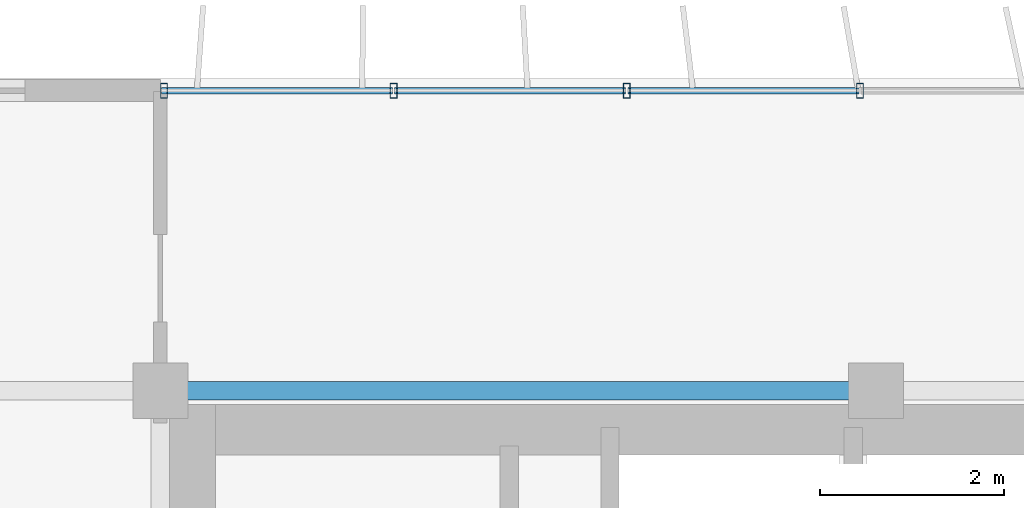
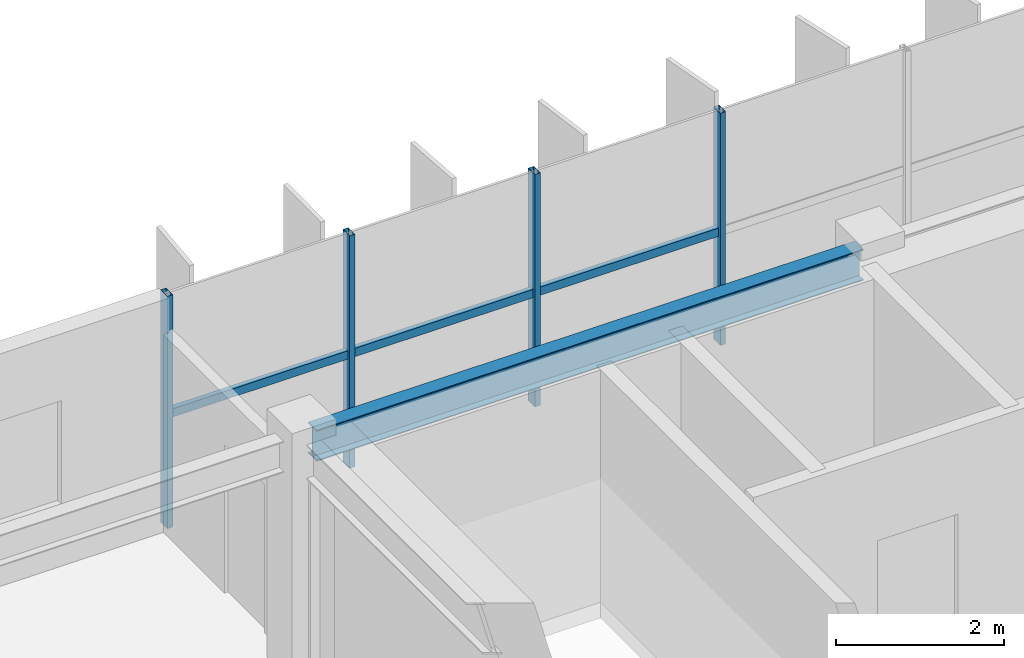
# One storey, part 6 of 22: 7 members, 1 beam, 1 element without a shape of its own.
"""IFC4 building model written with IfcOpenShell, lengths in metres."""

import ifcopenshell
import ifcopenshell.guid

model = None  # the IFC model being written
_history = None  # IfcOwnerHistory: only IFC2X3 demands one
_inside = {}  # id of a spatial element -> (the spatial element, [elements in it])
_under = {}  # id of a project, library or spatial element -> (it, [spatial elements below it])
_declared = {}  # id of a project -> (the project, [libraries it declares])
_typed = {}  # id of a type object -> (the type object, [elements of that type])
_made_of = {}  # id of a material, layer set ... -> (it, [elements and type objects made of it])


def new_model(schema):
    """Start an empty IFC model of exactly this schema.

    Asked for "IFC4X3", IfcOpenShell would pick the latest addendum, in which some entities
    have other attributes; the version numbers below select the first issue.
    IFC2X3 requires an IfcOwnerHistory on every rooted entity: one is made here for all.
    """
    global model, _history
    if schema == "IFC4X3":
        model = ifcopenshell.file(schema_version=(4, 3, 0, 0))
    else:
        model = ifcopenshell.file(schema=schema)
    _inside.clear()
    _under.clear()
    _declared.clear()
    _typed.clear()
    _made_of.clear()
    _history = None
    if model.schema == "IFC2X3":
        org = make("IfcOrganization", Name="unknown")
        user = make(
            "IfcPersonAndOrganization",
            ThePerson=make("IfcPerson", FamilyName="unknown"),
            TheOrganization=org,
        )
        app = make(
            "IfcApplication",
            ApplicationDeveloper=org,
            Version="unknown",
            ApplicationFullName="unknown",
            ApplicationIdentifier="unknown",
        )
        _history = make(
            "IfcOwnerHistory",
            OwningUser=user,
            OwningApplication=app,
            ChangeAction="ADDED",
            CreationDate=0,
        )
    return model


def make(cls, **values):
    """One entity of the class cls with the attributes given. An attribute that is None is left unset."""
    return model.create_entity(
        cls, **{name: value for name, value in values.items() if value is not None}
    )


def rooted(cls, **values):
    """An entity with a GlobalId (a new one), such as an element, a storey or a relation."""
    return make(cls, GlobalId=ifcopenshell.guid.new(), OwnerHistory=_history, **values)


def si_unit(unit_type, name, prefix=None):
    """IfcSIUnit, for example si_unit("LENGTHUNIT", "METRE", prefix="MILLI")."""
    return make("IfcSIUnit", UnitType=unit_type, Prefix=prefix, Name=name)


def assignment(units):
    """IfcUnitAssignment: the units of a project."""
    return None if units is None else make("IfcUnitAssignment", Units=units)


def point(xyz):
    """IfcCartesianPoint."""
    return None if xyz is None else make("IfcCartesianPoint", Coordinates=xyz)


def direction(xyz):
    """IfcDirection."""
    return None if xyz is None else make("IfcDirection", DirectionRatios=xyz)


def frame(location, z_axis=None, x_axis=None):
    """IfcAxis2Placement3D, a coordinate frame: its origin and axes. An axis left out is left unset."""
    return make(
        "IfcAxis2Placement3D",
        Location=point(location),
        Axis=direction(z_axis),
        RefDirection=direction(x_axis),
    )


def frame_2d(location, x_axis=None):
    """IfcAxis2Placement2D, a coordinate frame in the plane: its origin and x axis."""
    return make(
        "IfcAxis2Placement2D", Location=point(location), RefDirection=direction(x_axis)
    )


def origin():
    """The frame at (0, 0, 0) with its axes left unset."""
    return frame((0.0, 0.0, 0.0))


def origin_2d():
    """The frame at (0, 0) in the plane with its x axis left unset."""
    return frame_2d((0.0, 0.0))


def place(relative_to, where):
    """IfcLocalPlacement: puts the frame where relative to a parent placement (None: the world)."""
    return make(
        "IfcLocalPlacement", PlacementRelTo=relative_to, RelativePlacement=where
    )


def context(
    kind, dimensions, precision=None, world=None, true_north=None, identifier=None
):
    """IfcGeometricRepresentationContext, for example the 3D "Model" context."""
    return make(
        "IfcGeometricRepresentationContext",
        ContextIdentifier=identifier,
        ContextType=kind,
        CoordinateSpaceDimension=dimensions,
        Precision=precision,
        WorldCoordinateSystem=world,
        TrueNorth=true_north,
    )


def subcontext(parent, identifier, kind, view, scale=None):
    """IfcGeometricRepresentationSubContext, for example "Body" below "Model"."""
    return make(
        "IfcGeometricRepresentationSubContext",
        ContextIdentifier=identifier,
        ContextType=kind,
        ParentContext=parent,
        TargetScale=scale,
        TargetView=view,
    )


def project(units=None, contexts=None):
    """IfcProject with its units and contexts."""
    return rooted(
        "IfcProject",
        Name="project",
        RepresentationContexts=contexts,
        UnitsInContext=assignment(units),
    )


def spatial(cls, under=None, at=None, **own):
    """A site, building, storey or space (cls), placed at a placement, below another one or the project."""
    s = rooted(cls, ObjectPlacement=at, **own)
    if under is not None:
        _under.setdefault(under.id(), (under, []))[1].append(s)
    return s


def profile(cls, at=None, kind="AREA", **sizes):
    """A parametric profile (cls). Its sizes go by their IFC names, for example OverallWidth=200.0."""
    return make(cls, ProfileType=kind, Position=at, **sizes)


def hollow_rectangle(**sizes):
    """IfcRectangleHollowProfileDef."""
    return profile("IfcRectangleHollowProfileDef", **sizes)


def i_section(**sizes):
    """IfcIShapeProfileDef."""
    return profile("IfcIShapeProfileDef", **sizes)


def extrude(swept, where, along, depth):
    """IfcExtrudedAreaSolid: the profile swept, set in the frame where, extruded along a direction by depth."""
    return make(
        "IfcExtrudedAreaSolid",
        SweptArea=swept,
        Position=where,
        ExtrudedDirection=direction(along),
        Depth=depth,
    )


def shape(context_of_items, identifier, shape_type, items):
    """IfcShapeRepresentation: the items that make up one representation, for example the "Body"."""
    return make(
        "IfcShapeRepresentation",
        ContextOfItems=context_of_items,
        RepresentationIdentifier=identifier,
        RepresentationType=shape_type,
        Items=items,
    )


def source(mapping_origin, context_of_items, identifier, shape_type, items):
    """IfcRepresentationMap: a shape defined once, which mapped items show again and again."""
    return make(
        "IfcRepresentationMap",
        MappingOrigin=mapping_origin,
        MappedRepresentation=shape(context_of_items, identifier, shape_type, items),
    )


def transform(
    local_origin,
    x_axis=None,
    y_axis=None,
    z_axis=None,
    scale=None,
    scale2=None,
    scale3=None,
    uniform=True,
):
    """IfcCartesianTransformationOperator3D, or its non-uniform kind. x_axis, y_axis, z_axis: its Axis1, 2, 3."""
    if uniform:
        return make(
            "IfcCartesianTransformationOperator3D",
            Axis1=direction(x_axis),
            Axis2=direction(y_axis),
            LocalOrigin=point(local_origin),
            Scale=scale,
            Axis3=direction(z_axis),
        )
    return make(
        "IfcCartesianTransformationOperator3DnonUniform",
        Axis1=direction(x_axis),
        Axis2=direction(y_axis),
        LocalOrigin=point(local_origin),
        Scale=scale,
        Axis3=direction(z_axis),
        Scale2=scale2,
        Scale3=scale3,
    )


def mapped(mapping_source, mapping_target):
    """IfcMappedItem: shows the shape of a source again, moved by a transform."""
    return make(
        "IfcMappedItem", MappingSource=mapping_source, MappingTarget=mapping_target
    )


def material(Name=None, Category=None):
    """IfcMaterial."""
    return make("IfcMaterial", Name=Name, Category=Category)


def material_profile(
    of_material, cross_section, Name=None, Category=None, Priority=None
):
    """IfcMaterialProfile: a cross section and its material."""
    return make(
        "IfcMaterialProfile",
        Name=Name,
        Material=of_material,
        Profile=cross_section,
        Priority=Priority,
        Category=Category,
    )


def profile_set(profiles, Name=None, composite=None):
    """IfcMaterialProfileSet."""
    return make(
        "IfcMaterialProfileSet",
        Name=Name,
        MaterialProfiles=profiles,
        CompositeProfile=composite,
    )


def made_of(thing, what):
    """Note that an element or type object is made of a material, layer set ...; save() writes the relation."""
    if what is not None:
        _made_of.setdefault(what.id(), (what, []))[1].append(thing)
    return thing


def type_object(cls, material=None, **own):
    """A type object (cls), such as IfcWallType, which elements share."""
    return made_of(rooted(cls, **own), material)


def element(
    cls,
    number,
    at=None,
    inside=None,
    cuts=None,
    type_object=None,
    material=None,
    context=None,
    identifier="Body",
    shape_type=None,
    held_by="IfcProductDefinitionShape",
    body=None,
    shapes=None,
    **own,
):
    """One element of the class cls, such as IfcWall. Its Tag is "e" and its number.

    at: its placement. inside: the storey or other place that contains it. cuts: it is an
    opening in that element (IfcRelVoidsElement). A single representation is given by context,
    identifier, shape_type and body (its items); several are given by shapes. held_by: the class
    of the entity that holds the representations. save() writes the other relations.
    """
    e = rooted(cls, Tag="e%d" % number, ObjectPlacement=at, **own)
    if body is not None:
        shapes = [shape(context, identifier, shape_type, body)]
    if shapes is not None:
        e.Representation = make(held_by, Representations=shapes)
    if inside is not None:
        _inside.setdefault(inside.id(), (inside, []))[1].append(e)
    if cuts is not None:
        rooted(
            "IfcRelVoidsElement", RelatingBuildingElement=cuts, RelatedOpeningElement=e
        )
    if type_object is not None:
        _typed.setdefault(type_object.id(), (type_object, []))[1].append(e)
    return made_of(e, material)


def aggregate(whole, parts):
    """IfcRelAggregates: a whole, such as a stair, and the parts it consists of."""
    return rooted("IfcRelAggregates", RelatingObject=whole, RelatedObjects=parts)


def save(model, path):
    """Write the relations noted so far, then the file.

    IfcRelAggregates (storeys below a building ...), IfcRelContainedInSpatialStructure (elements
    in a storey), IfcRelDefinesByType, IfcRelAssociatesMaterial and IfcRelDeclares: one each for
    every whole, place, type object, material and project.
    """
    for whole, parts in _under.values():
        aggregate(whole, parts)
    for where, things in _inside.values():
        rooted(
            "IfcRelContainedInSpatialStructure",
            RelatedElements=things,
            RelatingStructure=where,
        )
    for kind, things in _typed.values():
        rooted("IfcRelDefinesByType", RelatedObjects=things, RelatingType=kind)
    for what, things in _made_of.values():
        rooted("IfcRelAssociatesMaterial", RelatedObjects=things, RelatingMaterial=what)
    for by, libraries in _declared.values():
        rooted("IfcRelDeclares", RelatingContext=by, RelatedDefinitions=libraries)
    model.write(path)


model = new_model("IFC4")

# Units and contexts
model_context = context("Model", 3, precision=1e-05, world=origin(), true_north=direction((0.0, 1.0)))
body_context = subcontext(model_context, "Body", "Model", "MODEL_VIEW")
ifc_project = project(units=[si_unit("LENGTHUNIT", "METRE"), si_unit("AREAUNIT", "SQUARE_METRE"), si_unit("VOLUMEUNIT", "CUBIC_METRE"), si_unit("PLANEANGLEUNIT", "RADIAN"), si_unit("MASSUNIT", "GRAM", prefix="KILO")], contexts=[model_context])

# Site, building, storey
site_placement = place(None, origin())
site = spatial("IfcSite", under=ifc_project, at=site_placement, CompositionType="ELEMENT")
building_placement = place(site_placement, origin())
building = spatial("IfcBuilding", under=site, at=building_placement, Name="Trelvane Seafront Commons", CompositionType="ELEMENT")
storey_placement = place(building_placement, frame((0.0, 0.0, 288.300048828125)))
storey = spatial("IfcBuildingStorey", under=building, at=storey_placement, Name="L75", CompositionType="ELEMENT", Elevation=288.300048828125)

# Beam
ifc_material_1 = material(Name="Steel SM355 (S355)", Category="steel")
ifc_material_profile_1 = material_profile(ifc_material_1, i_section(OverallWidth=0.199951171875, OverallDepth=0.449951171875, WebThickness=0.009033203125, FlangeThickness=0.013916015625, at=origin_2d()), Name="H-450x200x9x14")
ifc_profile_set_1 = profile_set([ifc_material_profile_1], Name="Steel SM355 (S355)")
beam_type = type_object("IfcBeamType", Name="STR-SPD-H450", PredefinedType="SPANDREL", material=ifc_profile_set_1)
shared_shape_1 = source(origin(), body_context, "Body", "SweptSolid", [
    extrude(i_section(OverallWidth=0.199951171875, OverallDepth=0.449951171875, WebThickness=0.009033203125, FlangeThickness=0.013916015625, at=origin_2d()), origin(), (0.0, 0.0, 1.0), 7.5),
])
beam_placement = place(storey_placement, frame((15.75, 45.10009765625, 3.14501953125), z_axis=(1.0, 0.0, 0.0), x_axis=(0.0, 1.0, 0.0)))
element("IfcBeam", 1, at=beam_placement, inside=storey, type_object=beam_type, Name="L75 Primary Girder G-23", PredefinedType="SPANDREL", context=body_context, shape_type="MappedRepresentation", body=[
    mapped(shared_shape_1, transform((0.0, 0.0, 0.0), x_axis=(1.0, 0.0, 0.0), y_axis=(0.0, 1.0, 0.0), z_axis=(0.0, 0.0, 1.0), scale=1.0)),
])

# Curtain wall, members
ifc_material_2 = material(Name="Anodised pale-silver aluminium", Category="aluminium")
curtain_wall_type = type_object("IfcCurtainWallType", Name="ARCH-CW5-UPTOWER", PredefinedType="NOTDEFINED", material=ifc_material_2)
curtain_wall_placement = place(storey_placement, origin())
curtain_wall = element("IfcCurtainWall", 2, at=curtain_wall_placement, inside=storey, type_object=curtain_wall_type, Name="CW-L75-0119", PredefinedType="NOTDEFINED")
ifc_material_profile_2 = material_profile(ifc_material_2, hollow_rectangle(XDim=0.070068359375, YDim=0.1201171875, WallThickness=0.00390625, at=origin_2d()), Name="TRAN-70x120x4")
ifc_profile_set_2 = profile_set([ifc_material_profile_2], Name="Anodised pale-silver aluminium")
member_type_1 = type_object("IfcMemberType", Name="ARCH-CW-TRAN-120", PredefinedType="USERDEFINED", material=ifc_profile_set_2)
shared_shape_2 = source(origin(), body_context, "Body", "SweptSolid", [
    extrude(hollow_rectangle(XDim=0.070068359375, YDim=0.1201171875, WallThickness=0.00390625, at=origin_2d()), origin(), (0.0, 0.0, 1.0), 2.51708984375),
])
member_1_placement = place(storey_placement, frame((15.612060546875, 48.3701171875, 1.617919921875), z_axis=(1.0, 0.0, 0.0), x_axis=(0.0, 1.0, 0.0)))
member_1 = element("IfcMember", 3, at=member_1_placement, type_object=member_type_1, Name="CW-L75-0119-T00", ObjectType="TRANSOM", PredefinedType="USERDEFINED", context=body_context, shape_type="MappedRepresentation", body=[
    mapped(shared_shape_2, transform((0.0, 0.0, 0.0), x_axis=(1.0, 0.0, 0.0), y_axis=(0.0, 1.0, 0.0), z_axis=(0.0, 0.0, 1.0), scale=1.0)),
])
member_2_placement = place(storey_placement, frame((18.1533203125, 48.3701171875, 1.617919921875), z_axis=(1.0, 0.0, 0.0), x_axis=(0.0, 1.0, 0.0)))
member_2 = element("IfcMember", 4, at=member_2_placement, type_object=member_type_1, Name="CW-L75-0119-T01", ObjectType="TRANSOM", PredefinedType="USERDEFINED", context=body_context, shape_type="MappedRepresentation", body=[
    mapped(shared_shape_2, transform((0.0, 0.0, 0.0), x_axis=(1.0, 0.0, 0.0), y_axis=(0.0, 1.0, 0.0), z_axis=(0.0, 0.0, 1.0), scale=1.0)),
])
member_3_placement = place(storey_placement, frame((20.6943359375, 48.3701171875, 1.617919921875), z_axis=(1.0, 0.0, 0.0), x_axis=(0.0, 1.0, 0.0)))
member_3 = element("IfcMember", 5, at=member_3_placement, type_object=member_type_1, Name="CW-L75-0119-T02", ObjectType="TRANSOM", PredefinedType="USERDEFINED", context=body_context, shape_type="MappedRepresentation", body=[
    mapped(shared_shape_2, transform((0.0, 0.0, 0.0), x_axis=(1.0, 0.0, 0.0), y_axis=(0.0, 1.0, 0.0), z_axis=(0.0, 0.0, 1.0), scale=1.0)),
])
ifc_material_profile_3 = material_profile(ifc_material_2, hollow_rectangle(XDim=0.074951171875, YDim=0.159912109375, WallThickness=0.00390625, at=origin_2d()), Name="MULL-75x160x4")
ifc_profile_set_3 = profile_set([ifc_material_profile_3], Name="Anodised pale-silver aluminium")
member_type_2 = type_object("IfcMemberType", Name="ARCH-CW-MULL-160", PredefinedType="MULLION", material=ifc_profile_set_3)
shared_shape_3 = source(origin(), body_context, "Body", "SweptSolid", [
    extrude(hollow_rectangle(XDim=0.074951171875, YDim=0.159912109375, WallThickness=0.00390625, at=origin_2d()), origin(), (0.0, 0.0, 1.0), 3.369873046875),
])
member_4_placement = place(storey_placement, frame((15.639892578125, 48.3701171875, 0.0), z_axis=(0.0, 0.0, 1.0), x_axis=(1.0, 0.0, 0.0)))
member_4 = element("IfcMember", 6, at=member_4_placement, type_object=member_type_2, Name="CW-L75-0119-M00", PredefinedType="MULLION", context=body_context, shape_type="MappedRepresentation", body=[
    mapped(shared_shape_3, transform((0.0, 0.0, 0.0), x_axis=(1.0, 0.0, 0.0), y_axis=(0.0, 1.0, 0.0), z_axis=(0.0, 0.0, 1.0), scale=1.0)),
])
member_5_placement = place(storey_placement, frame((18.14111328125, 48.3701171875, 0.0), z_axis=(0.0, 0.0, 1.0), x_axis=(1.0, 0.0, 0.0)))
member_5 = element("IfcMember", 7, at=member_5_placement, type_object=member_type_2, Name="CW-L75-0119-M01", PredefinedType="MULLION", context=body_context, shape_type="MappedRepresentation", body=[
    mapped(shared_shape_3, transform((0.0, 0.0, 0.0), x_axis=(1.0, 0.0, 0.0), y_axis=(0.0, 1.0, 0.0), z_axis=(0.0, 0.0, 1.0), scale=1.0)),
])
member_6_placement = place(storey_placement, frame((20.682373046875, 48.3701171875, 0.0), z_axis=(0.0, 0.0, 1.0), x_axis=(1.0, 0.0, 0.0)))
member_6 = element("IfcMember", 8, at=member_6_placement, type_object=member_type_2, Name="CW-L75-0119-M02", PredefinedType="MULLION", context=body_context, shape_type="MappedRepresentation", body=[
    mapped(shared_shape_3, transform((0.0, 0.0, 0.0), x_axis=(1.0, 0.0, 0.0), y_axis=(0.0, 1.0, 0.0), z_axis=(0.0, 0.0, 1.0), scale=1.0)),
])
member_7_placement = place(storey_placement, frame((23.223388671875, 48.3701171875, 0.0), z_axis=(0.0, 0.0, 1.0), x_axis=(1.0, 0.0, 0.0)))
member_7 = element("IfcMember", 9, at=member_7_placement, type_object=member_type_2, Name="CW-L75-0119-M03", PredefinedType="MULLION", context=body_context, shape_type="MappedRepresentation", body=[
    mapped(shared_shape_3, transform((0.0, 0.0, 0.0), x_axis=(1.0, 0.0, 0.0), y_axis=(0.0, 1.0, 0.0), z_axis=(0.0, 0.0, 1.0), scale=1.0)),
])
aggregate(curtain_wall, [member_4, member_5, member_6, member_7, member_1, member_2, member_3])

save(model, "model.ifc")
